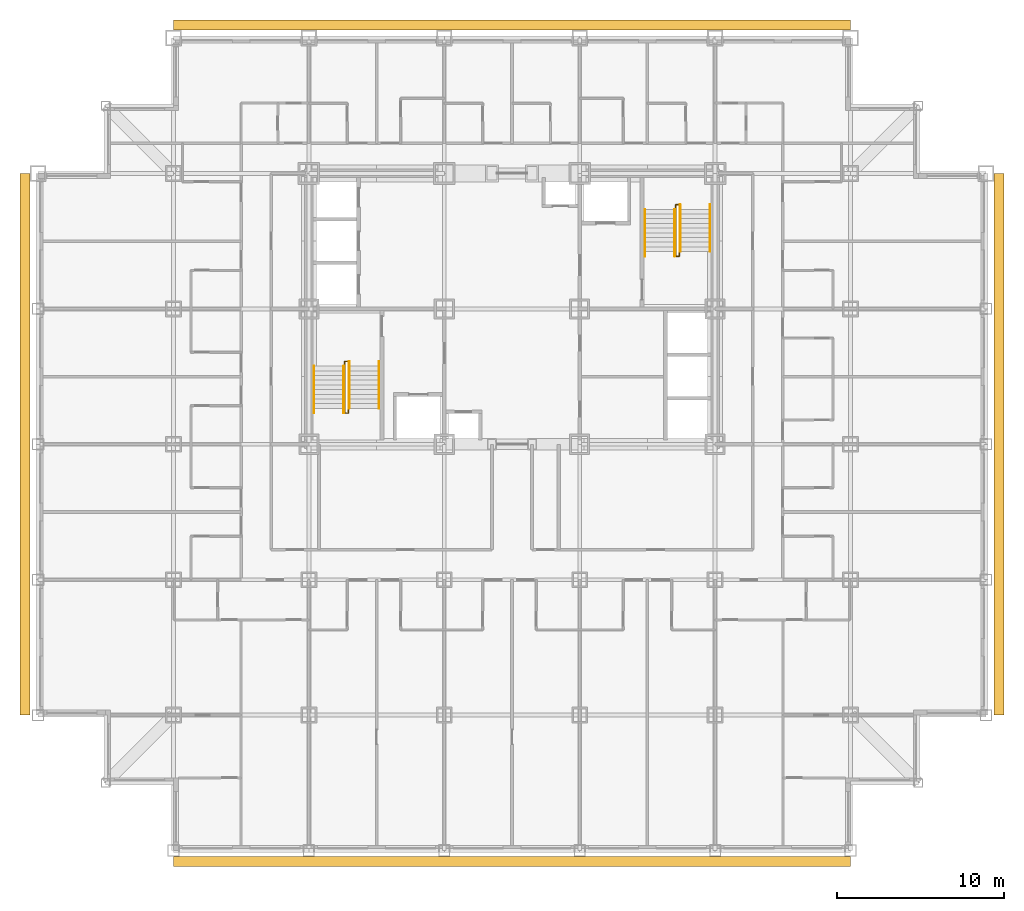
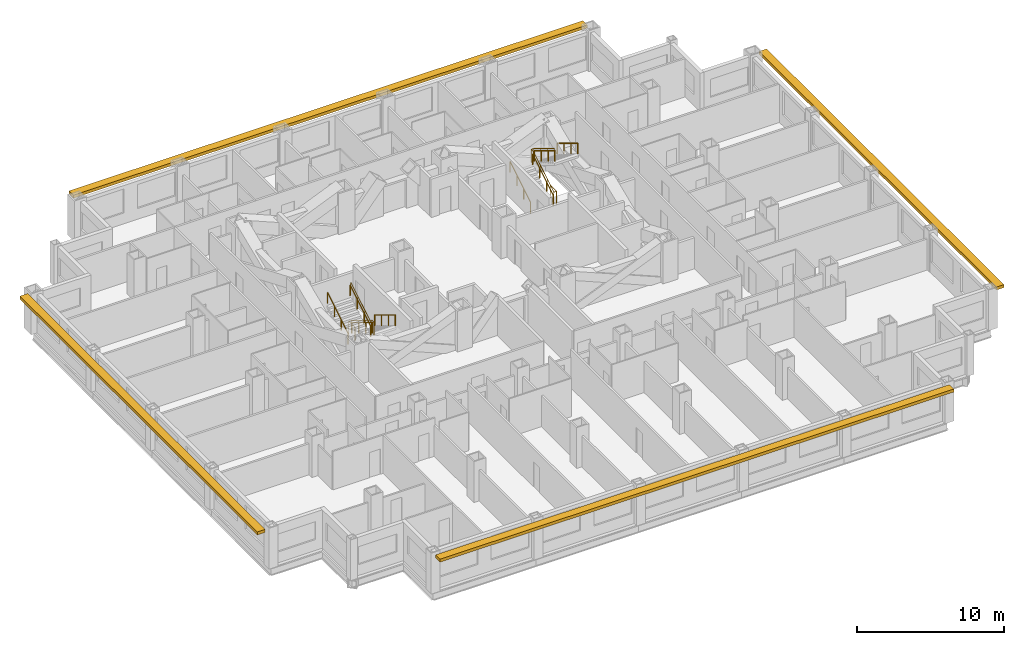
# One storey, part 11 of 11: 10 railings, 4 shading devices.
"""IFC4 building model written with IfcOpenShell, lengths in metres."""

from ifc_helpers import new_model, si_unit, direction, frame, origin, origin_2d, place, context, subcontext, project, spatial, rectangle, circle, extrude, material, type_object, element, save


model = new_model("IFC4")

# Units and contexts
model_context = context("Model", 3, precision=1e-05, world=origin(), true_north=direction((0.0, 1.0)))
body_context = subcontext(model_context, "Body", "Model", "MODEL_VIEW")
ifc_project = project(units=[si_unit("LENGTHUNIT", "METRE"), si_unit("AREAUNIT", "SQUARE_METRE"), si_unit("VOLUMEUNIT", "CUBIC_METRE"), si_unit("PLANEANGLEUNIT", "RADIAN"), si_unit("MASSUNIT", "GRAM", prefix="KILO")], contexts=[model_context])

# Site, building, storey
site_placement = place(None, origin())
site = spatial("IfcSite", under=ifc_project, at=site_placement, CompositionType="ELEMENT")
building_placement = place(site_placement, origin())
building = spatial("IfcBuilding", under=site, at=building_placement, Name="Kopane Lantern Tower", CompositionType="ELEMENT")
storey_placement = place(building_placement, frame((0.0, 0.0, 33.0)))
storey = spatial("IfcBuildingStorey", under=building, at=storey_placement, Name="L06", CompositionType="ELEMENT", Elevation=33.0)

# Railings
ifc_material_1 = material(Name="Steel", Category="steel")
railing_type_1 = type_object("IfcRailingType", Name="STAIR GUARD 1100", PredefinedType="GUARDRAIL", material=ifc_material_1)
railing_1_placement = place(storey_placement, frame((18.35009765625, 28.409912109375, 0.0)))
element("IfcRailing", 1, at=railing_1_placement, inside=storey, type_object=railing_type_1, Name="ST1 well guard L06", PredefinedType="GUARDRAIL", context=body_context, shape_type="SweptSolid", body=[
    extrude(circle(Radius=0.02392578125, at=origin_2d()), frame((0.0, 0.0, 1.076171875), z_axis=(0.0, 1.0, 0.0), x_axis=(-1.0, 0.0, 0.0)), (0.0, 0.0, 1.0), 0.840087890625),
    extrude(circle(Radius=0.02392578125, at=origin_2d()), frame((0.0, 0.840087890625, 1.076171875), z_axis=(1.0, 0.0, 0.0), x_axis=(0.0, 1.0, 0.0)), (0.0, 0.0, 1.0), 0.199951171875),
    extrude(circle(Radius=0.02392578125, at=origin_2d()), frame((0.199951171875, 0.840087890625, 1.076171875), z_axis=(0.0, -0.854798142509, 0.518960630071), x_axis=(1.0, 0.0, 0.0)), (0.0, 0.0, 1.0), 3.275634765625),
    extrude(circle(Radius=0.02392578125, at=origin_2d()), frame((0.199951171875, -1.9599609375, 2.77587890625), z_axis=(0.0, -1.0, 0.0), x_axis=(1.0, 0.0, 0.0)), (0.0, 0.0, 1.0), 0.280029296875),
    extrude(circle(Radius=0.02392578125, at=origin_2d()), frame((0.199951171875, -2.239990234375, 2.77587890625), z_axis=(-1.0, 0.0, 0.0), x_axis=(0.0, -1.0, 0.0)), (0.0, 0.0, 1.0), 0.199951171875),
    extrude(circle(Radius=0.02392578125, at=origin_2d()), frame((0.0, -2.239990234375, 2.77587890625), z_axis=(0.0, 0.854798142509, 0.518960630071), x_axis=(-1.0, 0.0, 0.0)), (0.0, 0.0, 1.0), 3.275634765625),
    extrude(circle(Radius=0.02099609375, at=origin_2d()), origin(), (0.0, 0.0, 1.0), 1.052001953125),
    extrude(circle(Radius=0.02099609375, at=origin_2d()), frame((0.0, 0.840087890625, 0.0)), (0.0, 0.0, 1.0), 1.052001953125),
    extrude(circle(Radius=0.02099609375, at=origin_2d()), frame((0.199951171875, 0.840087890625, 0.0)), (0.0, 0.0, 1.0), 1.052001953125),
    extrude(circle(Radius=0.02099609375, at=origin_2d()), frame((0.199951171875, -0.09326171875, 0.566650390625)), (0.0, 0.0, 1.0), 1.052001953125),
    extrude(circle(Radius=0.02099609375, at=origin_2d()), frame((0.199951171875, -1.026611328125, 1.13330078125)), (0.0, 0.0, 1.0), 1.052001953125),
    extrude(circle(Radius=0.02099609375, at=origin_2d()), frame((0.199951171875, -1.9599609375, 1.699951171875)), (0.0, 0.0, 1.0), 1.052001953125),
    extrude(circle(Radius=0.02099609375, at=origin_2d()), frame((0.199951171875, -2.239990234375, 1.699951171875)), (0.0, 0.0, 1.0), 1.052001953125),
    extrude(circle(Radius=0.02099609375, at=origin_2d()), frame((0.0, -2.239990234375, 1.699951171875)), (0.0, 0.0, 1.0), 1.052001953125),
    extrude(circle(Radius=0.02099609375, at=origin_2d()), frame((0.0, -1.306640625, 2.2666015625)), (0.0, 0.0, 1.0), 1.052001953125),
    extrude(circle(Radius=0.02099609375, at=origin_2d()), frame((0.0, -0.373291015625, 2.833251953125)), (0.0, 0.0, 1.0), 1.052001953125),
    extrude(circle(Radius=0.02099609375, at=origin_2d()), frame((0.0, 0.56005859375, 3.39990234375)), (0.0, 0.0, 1.0), 1.052001953125),
])
railing_2_placement = place(storey_placement, frame((38.35009765625, 36.389892578125, 0.0)))
element("IfcRailing", 2, at=railing_2_placement, inside=storey, type_object=railing_type_1, Name="ST2 well guard L06", PredefinedType="GUARDRAIL", context=body_context, shape_type="SweptSolid", body=[
    extrude(circle(Radius=0.02392578125, at=origin_2d()), frame((0.0, 0.0, 1.076171875), z_axis=(0.0, -1.0, 0.0), x_axis=(1.0, 0.0, 0.0)), (0.0, 0.0, 1.0), 0.83984375),
    extrude(circle(Radius=0.02392578125, at=origin_2d()), frame((0.0, -0.83984375, 1.076171875), z_axis=(-1.0, 0.0, 0.0), x_axis=(0.0, -1.0, 0.0)), (0.0, 0.0, 1.0), 0.2001953125),
    extrude(circle(Radius=0.02392578125, at=origin_2d()), frame((-0.2001953125, -0.83984375, 1.076171875), z_axis=(0.0, 0.854798142509, 0.518960630071), x_axis=(-1.0, 0.0, 0.0)), (0.0, 0.0, 1.0), 3.275634765625),
    extrude(circle(Radius=0.02392578125, at=origin_2d()), frame((-0.2001953125, 1.960205078125, 2.77587890625), z_axis=(0.0, 1.0, 0.0), x_axis=(-1.0, 0.0, 0.0)), (0.0, 0.0, 1.0), 0.27978515625),
    extrude(circle(Radius=0.02392578125, at=origin_2d()), frame((-0.2001953125, 2.239990234375, 2.77587890625), z_axis=(1.0, 0.0, 0.0), x_axis=(0.0, 1.0, 0.0)), (0.0, 0.0, 1.0), 0.2001953125),
    extrude(circle(Radius=0.02392578125, at=origin_2d()), frame((0.0, 2.239990234375, 2.77587890625), z_axis=(0.0, -0.854778067842, 0.518993694313), x_axis=(1.0, 0.0, 0.0)), (0.0, 0.0, 1.0), 3.275390625),
    extrude(circle(Radius=0.02099609375, at=origin_2d()), origin(), (0.0, 0.0, 1.0), 1.052001953125),
    extrude(circle(Radius=0.02099609375, at=origin_2d()), frame((0.0, -0.83984375, 0.0)), (0.0, 0.0, 1.0), 1.052001953125),
    extrude(circle(Radius=0.02099609375, at=origin_2d()), frame((-0.2001953125, -0.83984375, 0.0)), (0.0, 0.0, 1.0), 1.052001953125),
    extrude(circle(Radius=0.02099609375, at=origin_2d()), frame((-0.2001953125, 0.093505859375, 0.566650390625)), (0.0, 0.0, 1.0), 1.052001953125),
    extrude(circle(Radius=0.02099609375, at=origin_2d()), frame((-0.2001953125, 1.02685546875, 1.13330078125)), (0.0, 0.0, 1.0), 1.052001953125),
    extrude(circle(Radius=0.02099609375, at=origin_2d()), frame((-0.2001953125, 1.960205078125, 1.699951171875)), (0.0, 0.0, 1.0), 1.052001953125),
    extrude(circle(Radius=0.02099609375, at=origin_2d()), frame((-0.2001953125, 2.239990234375, 1.699951171875)), (0.0, 0.0, 1.0), 1.052001953125),
    extrude(circle(Radius=0.02099609375, at=origin_2d()), frame((0.0, 2.239990234375, 1.699951171875)), (0.0, 0.0, 1.0), 1.052001953125),
    extrude(circle(Radius=0.02099609375, at=origin_2d()), frame((0.0, 1.306640625, 2.2666015625)), (0.0, 0.0, 1.0), 1.052001953125),
    extrude(circle(Radius=0.02099609375, at=origin_2d()), frame((0.0, 0.37353515625, 2.833251953125)), (0.0, 0.0, 1.0), 1.052001953125),
    extrude(circle(Radius=0.02099609375, at=origin_2d()), frame((0.0, -0.559814453125, 3.39990234375)), (0.0, 0.0, 1.0), 1.052001953125),
])
ifc_material_2 = material(Name="Steel", Category="steel")
railing_type_2 = type_object("IfcRailingType", Name="STAIR HANDRAIL 900", PredefinedType="HANDRAIL", material=ifc_material_2)
for number, where, name in (
    (3, (20.389892578125, 29.25, 0.0), "ST1 handrail L06 flight 1"),
    (4, (18.610107421875, 29.25, 0.0), "ST1 handrail L06 flight 1"),
):
    element("IfcRailing", number, at=place(storey_placement, frame(where)), inside=storey, type_object=railing_type_2, Name=name, PredefinedType="HANDRAIL", context=body_context, shape_type="SweptSolid", body=[
        extrude(circle(Radius=0.02392578125, at=origin_2d()), frame((0.0, 0.0, 0.8759765625), z_axis=(0.0, -0.854798142509, 0.518960630071), x_axis=(1.0, 0.0, 0.0)), (0.0, 0.0, 1.0), 3.275634765625),
        extrude(circle(Radius=0.02099609375, at=origin_2d()), origin(), (0.0, 0.0, 1.0), 0.851806640625),
        extrude(circle(Radius=0.02099609375, at=origin_2d()), frame((0.0, -0.933349609375, 0.566650390625)), (0.0, 0.0, 1.0), 0.851806640625),
        extrude(circle(Radius=0.02099609375, at=origin_2d()), frame((0.0, -1.86669921875, 1.13330078125)), (0.0, 0.0, 1.0), 0.851806640625),
        extrude(circle(Radius=0.02099609375, at=origin_2d()), frame((0.0, -2.800048828125, 1.699951171875)), (0.0, 0.0, 1.0), 0.851806640625),
    ])
for number, where, name in (
    (5, (16.510009765625, 26.169921875, 1.699951171875), "ST1 handrail L06 flight 2"),
    (6, (18.2900390625, 26.169921875, 1.699951171875), "ST1 handrail L06 flight 2"),
    (7, (36.31005859375, 35.550048828125, 0.0), "ST2 handrail L06 flight 1"),
    (8, (38.090087890625, 35.550048828125, 0.0), "ST2 handrail L06 flight 1"),
):
    element("IfcRailing", number, at=place(storey_placement, frame(where)), inside=storey, type_object=railing_type_2, Name=name, PredefinedType="HANDRAIL", context=body_context, shape_type="SweptSolid", body=[
        extrude(circle(Radius=0.02392578125, at=origin_2d()), frame((0.0, 0.0, 0.8759765625), z_axis=(0.0, 0.854798142509, 0.518960630071), x_axis=(-1.0, 0.0, 0.0)), (0.0, 0.0, 1.0), 3.275634765625),
        extrude(circle(Radius=0.02099609375, at=origin_2d()), origin(), (0.0, 0.0, 1.0), 0.851806640625),
        extrude(circle(Radius=0.02099609375, at=origin_2d()), frame((0.0, 0.933349609375, 0.566650390625)), (0.0, 0.0, 1.0), 0.851806640625),
        extrude(circle(Radius=0.02099609375, at=origin_2d()), frame((0.0, 1.86669921875, 1.13330078125)), (0.0, 0.0, 1.0), 0.851806640625),
        extrude(circle(Radius=0.02099609375, at=origin_2d()), frame((0.0, 2.800048828125, 1.699951171875)), (0.0, 0.0, 1.0), 0.851806640625),
    ])
for number, where, name in (
    (9, (40.18994140625, 38.6298828125, 1.699951171875), "ST2 handrail L06 flight 2"),
    (10, (38.409912109375, 38.6298828125, 1.699951171875), "ST2 handrail L06 flight 2"),
):
    element("IfcRailing", number, at=place(storey_placement, frame(where)), inside=storey, type_object=railing_type_2, Name=name, PredefinedType="HANDRAIL", context=body_context, shape_type="SweptSolid", body=[
        extrude(circle(Radius=0.02392578125, at=origin_2d()), frame((0.0, 0.0, 0.8759765625), z_axis=(0.0, -0.854778067842, 0.518993694313), x_axis=(1.0, 0.0, 0.0)), (0.0, 0.0, 1.0), 3.275390625),
        extrude(circle(Radius=0.02099609375, at=origin_2d()), origin(), (0.0, 0.0, 1.0), 0.851806640625),
        extrude(circle(Radius=0.02099609375, at=origin_2d()), frame((0.0, -0.933349609375, 0.566650390625)), (0.0, 0.0, 1.0), 0.851806640625),
        extrude(circle(Radius=0.02099609375, at=origin_2d()), frame((0.0, -1.866455078125, 1.13330078125)), (0.0, 0.0, 1.0), 0.851806640625),
        extrude(circle(Radius=0.02099609375, at=origin_2d()), frame((0.0, -2.7998046875, 1.699951171875)), (0.0, 0.0, 1.0), 0.851806640625),
    ])

# Shading devices
ifc_material_3 = material(Name="Terracotta rainscreen on light steel framing", Category="masonry")
shading_device_type = type_object("IfcShadingDeviceType", Name="SUNSHADE BAND SB1 600 TERRACOTTA", PredefinedType="USERDEFINED", material=ifc_material_3)
shading_device_1_placement = place(storey_placement, frame((28.35009765625, -0.64990234375, 2.89990234375), z_axis=(0.0, 0.0, 1.0), x_axis=(1.0, 0.0, 0.0)))
element("IfcShadingDevice", 11, at=shading_device_1_placement, inside=storey, type_object=shading_device_type, Name="Sunshade band S L06", ObjectType="SUNSHADE BAND", PredefinedType="USERDEFINED", context=body_context, shape_type="SweptSolid", body=[
    extrude(rectangle(XDim=40.5, YDim=0.60009765625, at=origin_2d()), origin(), (0.0, 0.0, 1.0), 0.25),
])
shading_device_2_placement = place(storey_placement, frame((57.47509765625, 24.300048828125, 2.89990234375), z_axis=(0.0, 0.0, 1.0), x_axis=(0.0, 1.0, 0.0)))
element("IfcShadingDevice", 12, at=shading_device_2_placement, inside=storey, type_object=shading_device_type, Name="Sunshade band E L06", ObjectType="SUNSHADE BAND", PredefinedType="USERDEFINED", context=body_context, shape_type="SweptSolid", body=[
    extrude(rectangle(XDim=32.39990234375, YDim=0.60009765625, at=origin_2d()), origin(), (0.0, 0.0, 1.0), 0.25),
])
shading_device_3_placement = place(storey_placement, frame((28.35009765625, 49.375, 2.89990234375), z_axis=(0.0, 0.0, 1.0), x_axis=(-1.0, 0.0, 0.0)))
element("IfcShadingDevice", 13, at=shading_device_3_placement, inside=storey, type_object=shading_device_type, Name="Sunshade band N L06", ObjectType="SUNSHADE BAND", PredefinedType="USERDEFINED", context=body_context, shape_type="SweptSolid", body=[
    extrude(rectangle(XDim=40.5, YDim=0.60009765625, at=origin_2d()), origin(), (0.0, 0.0, 1.0), 0.25),
])
shading_device_4_placement = place(storey_placement, frame((-0.77490234375, 24.300048828125, 2.89990234375), z_axis=(0.0, 0.0, 1.0), x_axis=(0.0, -1.0, 0.0)))
element("IfcShadingDevice", 14, at=shading_device_4_placement, inside=storey, type_object=shading_device_type, Name="Sunshade band W L06", ObjectType="SUNSHADE BAND", PredefinedType="USERDEFINED", context=body_context, shape_type="SweptSolid", body=[
    extrude(rectangle(XDim=32.39990234375, YDim=0.60009765625, at=origin_2d()), origin(), (0.0, 0.0, 1.0), 0.25),
])

save(model, "model.ifc")
